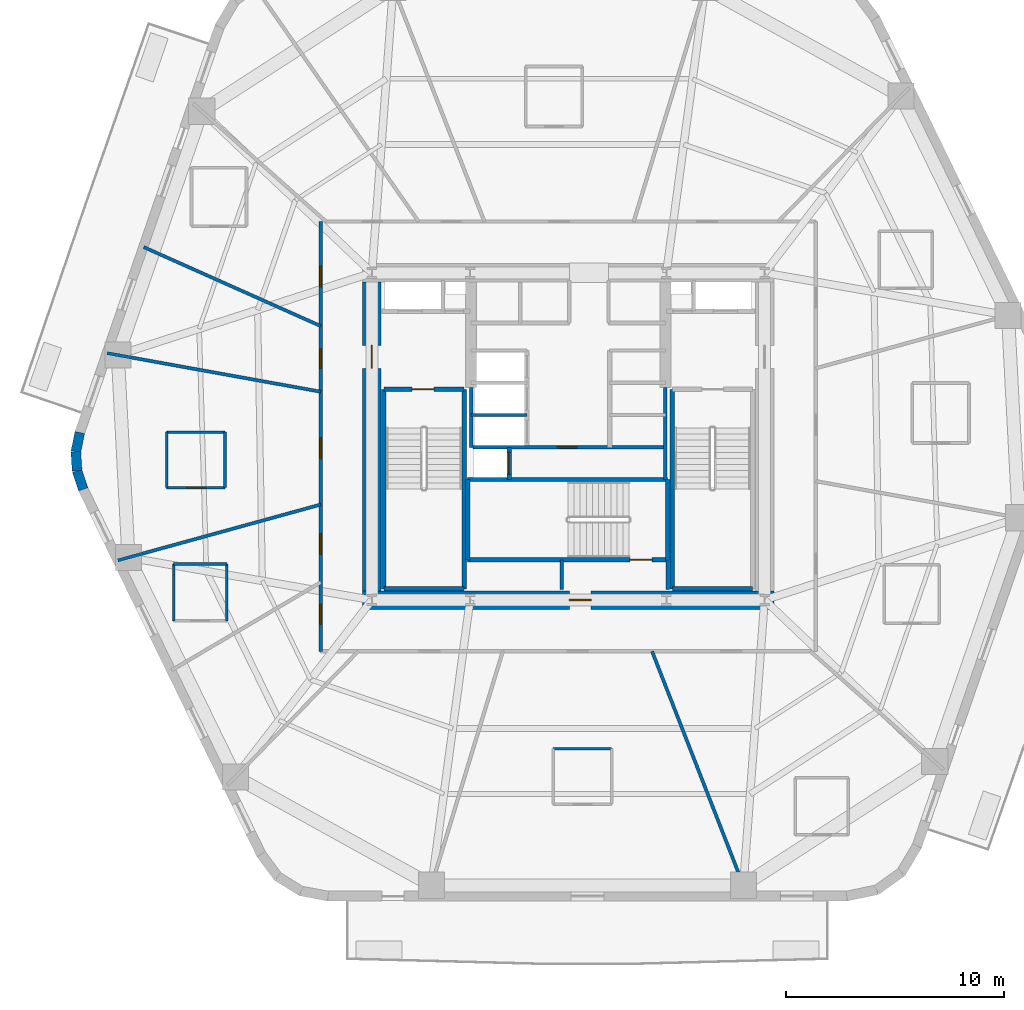
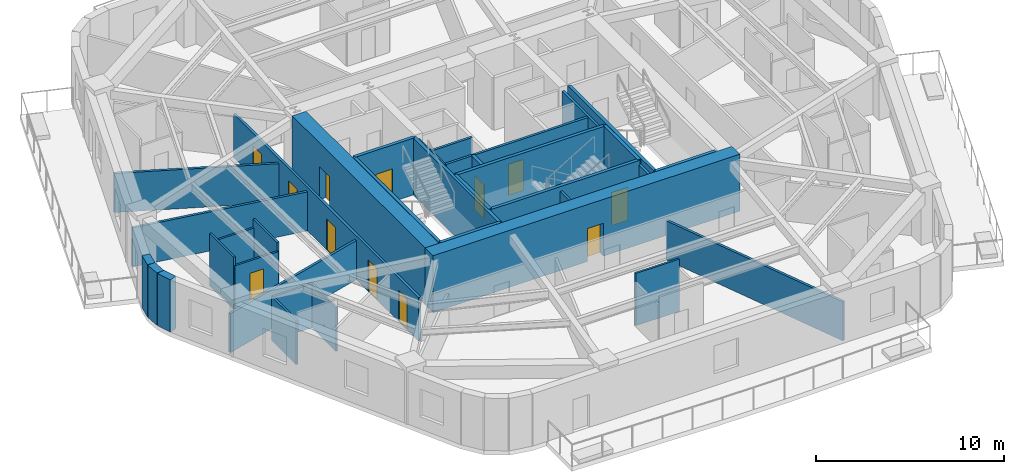
# One storey, part 3 of 8: 35 walls, 12 doors, 12 openings.
"""IFC4 building model written with IfcOpenShell, lengths in metres."""

from ifc_helpers import new_model, si_unit, direction, frame, frame_2d, origin, place, context, subcontext, project, spatial, rectangle, extrude, material, layer, layer_set, type_object, element, fill, save


model = new_model("IFC4")

# Units and contexts
model_context = context("Model", 3, precision=1e-05, world=origin(), true_north=direction((0.0, 1.0)))
body_context = subcontext(model_context, "Body", "Model", "MODEL_VIEW")
ifc_project = project(units=[si_unit("LENGTHUNIT", "METRE"), si_unit("AREAUNIT", "SQUARE_METRE"), si_unit("VOLUMEUNIT", "CUBIC_METRE"), si_unit("PLANEANGLEUNIT", "RADIAN"), si_unit("MASSUNIT", "GRAM", prefix="KILO")], contexts=[model_context])

# Site, building, storey
site_placement = place(None, origin())
site = spatial("IfcSite", under=ifc_project, at=site_placement, CompositionType="ELEMENT")
building_placement = place(site_placement, origin())
building = spatial("IfcBuilding", under=site, at=building_placement, Name="Kilnhurst Terrace Hotel", CompositionType="ELEMENT")
storey_placement = place(building_placement, frame((0.0, 0.0, 132.10009765625)))
storey = spatial("IfcBuildingStorey", under=building, at=storey_placement, Name="L32", CompositionType="ELEMENT", Elevation=132.10009765625)

# Walls
ifc_material_1 = material(Name="Precast concrete C40/50", Category="concrete")
ifc_layer_1 = layer(ifc_material_1, 0.449951171875, Name="Precast concrete C40/50")
ifc_layer_set_1 = layer_set([ifc_layer_1], Name="Precast concrete C40/50")
wall_type_1 = type_object("IfcWallType", Name="WL-BRK-450", PredefinedType="SOLIDWALL", material=ifc_layer_set_1)
wall_1_placement = place(storey_placement, frame((-22.39697265625, 0.17919921875, 0.0), z_axis=(0.0, 0.0, 1.0), x_axis=(-0.199313589404, -0.979935759669, 0.0)))
element("IfcWall", 1, at=wall_1_placement, inside=storey, type_object=wall_type_1, Name="L32 Rounded Corner Brick Wall C6.1", PredefinedType="SOLIDWALL", context=body_context, shape_type="SweptSolid", body=[
    extrude(rectangle(XDim=0.8955078125, YDim=0.449951171875, at=frame_2d((0.44775390625, 0.0))), origin(), (0.0, 0.0, 1.0), 3.39990234375),
])
wall_2_placement = place(storey_placement, frame((-22.575439453125, -0.6982421875, 0.0), z_axis=(0.0, 0.0, 1.0), x_axis=(0.060980441946, -0.998138961117, 0.0)))
element("IfcWall", 2, at=wall_2_placement, inside=storey, type_object=wall_type_1, Name="L32 Rounded Corner Brick Wall C6.2", PredefinedType="SOLIDWALL", context=body_context, shape_type="SweptSolid", body=[
    extrude(rectangle(XDim=0.880859375, YDim=0.449951171875, at=frame_2d((0.4404296875, 0.0))), origin(), (0.0, 0.0, 1.0), 3.39990234375),
])
wall_3_placement = place(storey_placement, frame((-22.521728515625, -1.577392578125, 0.0), z_axis=(0.0, 0.0, 1.0), x_axis=(0.317372694837, -0.948300887151, 0.0)))
element("IfcWall", 3, at=wall_3_placement, inside=storey, type_object=wall_type_1, Name="L32 Rounded Corner Brick Wall C6.3", PredefinedType="SOLIDWALL", context=body_context, shape_type="SweptSolid", body=[
    extrude(rectangle(XDim=0.8955078125, YDim=0.449951171875, at=frame_2d((0.44775390625, 0.0))), origin(), (0.0, 0.0, 1.0), 3.39990234375),
])

# Wall, openings, doors
ifc_material_2 = material(Name="Acoustic Double-Gypsum Corridor Partition Assembly")
ifc_layer_2 = layer(ifc_material_2, 0.14990234375, Name="Acoustic Double-Gypsum Corridor Partition Assembly")
ifc_layer_set_2 = layer_set([ifc_layer_2], Name="Acoustic Double-Gypsum Corridor Partition Assembly")
wall_type_2 = type_object("IfcWallType", Name="WL-COR-150", PredefinedType="PARTITIONING", material=ifc_layer_set_2)
wall_4_placement = place(storey_placement, frame((-11.35009765625, -9.85009765625, 0.0), z_axis=(0.0, 0.0, 1.0), x_axis=(0.0, 1.0, 0.0)))
wall_4 = element("IfcWall", 4, at=wall_4_placement, inside=storey, type_object=wall_type_2, Name="L32 Interior Wall WL-L32-COR-01", PredefinedType="PARTITIONING", context=body_context, shape_type="SweptSolid", body=[
    extrude(rectangle(XDim=19.7001953125, YDim=0.14990234375, at=frame_2d((9.85009765625, 0.0))), origin(), (0.0, 0.0, 1.0), 2.83984375),
])
opening_1_placement = place(wall_4_placement, frame((16.7109375, 0.0, 0.0)))
opening_1 = element("IfcOpeningElement", 5, at=opening_1_placement, cuts=wall_4, Name="Opening D-60B", PredefinedType="OPENING", context=body_context, shape_type="SweptSolid", body=[
    extrude(rectangle(XDim=0.949951171875, YDim=2.030029296875, at=frame_2d((0.47509765625, 1.01513671875))), frame((0.0, 0.0849609375, 0.0), z_axis=(0.0, -1.0, 0.0), x_axis=(1.0, 0.0, 0.0)), (0.0, 0.0, 1.0), 0.169921875),
])
opening_2_placement = place(wall_4_placement, frame((12.968017578125, 0.0, 0.0)))
opening_2 = element("IfcOpeningElement", 6, at=opening_2_placement, cuts=wall_4, Name="Opening D-60C", PredefinedType="OPENING", context=body_context, shape_type="SweptSolid", body=[
    extrude(rectangle(XDim=0.89990234375, YDim=2.030029296875, at=frame_2d((0.449951171875, 1.01513671875))), frame((0.0, 0.0849609375, 0.0), z_axis=(0.0, -1.0, 0.0), x_axis=(1.0, 0.0, 0.0)), (0.0, 0.0, 1.0), 0.169921875),
])
opening_3_placement = place(wall_4_placement, frame((8.8359375, 0.0, 0.0)))
opening_3 = element("IfcOpeningElement", 7, at=opening_3_placement, cuts=wall_4, Name="Opening D-60B", PredefinedType="OPENING", context=body_context, shape_type="SweptSolid", body=[
    extrude(rectangle(XDim=0.949951171875, YDim=2.030029296875, at=frame_2d((0.47509765625, 1.01513671875))), frame((0.0, 0.0849609375, 0.0), z_axis=(0.0, -1.0, 0.0), x_axis=(1.0, 0.0, 0.0)), (0.0, 0.0, 1.0), 0.169921875),
])
opening_4_placement = place(wall_4_placement, frame((4.447998046875, 0.0, 0.0)))
opening_4 = element("IfcOpeningElement", 8, at=opening_4_placement, cuts=wall_4, Name="Opening D-60B", PredefinedType="OPENING", context=body_context, shape_type="SweptSolid", body=[
    extrude(rectangle(XDim=0.949951171875, YDim=2.030029296875, at=frame_2d((0.47509765625, 1.01513671875))), frame((0.0, 0.0849609375, 0.0), z_axis=(0.0, -1.0, 0.0), x_axis=(1.0, 0.0, 0.0)), (0.0, 0.0, 1.0), 0.169921875),
])
opening_5_placement = place(wall_4_placement, frame((1.2490234375, 0.0, 0.0)))
opening_5 = element("IfcOpeningElement", 9, at=opening_5_placement, cuts=wall_4, Name="Opening D-60C", PredefinedType="OPENING", context=body_context, shape_type="SweptSolid", body=[
    extrude(rectangle(XDim=0.89990234375, YDim=2.030029296875, at=frame_2d((0.449951171875, 1.01513671875))), frame((0.0, 0.0849609375, 0.0), z_axis=(0.0, -1.0, 0.0), x_axis=(1.0, 0.0, 0.0)), (0.0, 0.0, 1.0), 0.169921875),
])
ifc_material_3 = material(Name="Painted Solid-Core Service Fire Door")
door_type_1 = type_object("IfcDoorType", Name="DR-FD60-900", OperationType="NOTDEFINED", PredefinedType="DOOR", material=ifc_material_3)
door_1_placement = place(opening_2_placement, origin())
door_1 = element("IfcDoor", 10, at=door_1_placement, inside=storey, type_object=door_type_1, Name="L32 Botanical Reading Lounge Door 7", OperationType="SINGLE_SWING_LEFT", OverallHeight=2.030029296875, OverallWidth=0.89990234375, PredefinedType="DOOR", context=body_context, shape_type="SweptSolid", body=[
    extrude(rectangle(XDim=0.89990234375, YDim=2.030029296875, at=frame_2d((0.449951171875, 1.01513671875))), frame((0.0, 0.02490234375, 0.0), z_axis=(0.0, -1.0, 0.0), x_axis=(1.0, 0.0, 0.0)), (0.0, 0.0, 1.0), 0.050048828125),
])
fill(opening_2, door_1)
door_2_placement = place(opening_5_placement, origin())
door_2 = element("IfcDoor", 11, at=door_2_placement, inside=storey, type_object=door_type_1, Name="L32 Private Meeting Salon Door 10", OperationType="SINGLE_SWING_RIGHT", OverallHeight=2.030029296875, OverallWidth=0.89990234375, PredefinedType="DOOR", context=body_context, shape_type="SweptSolid", body=[
    extrude(rectangle(XDim=0.89990234375, YDim=2.030029296875, at=frame_2d((0.449951171875, 1.01513671875))), frame((0.0, 0.02490234375, 0.0), z_axis=(0.0, -1.0, 0.0), x_axis=(1.0, 0.0, 0.0)), (0.0, 0.0, 1.0), 0.050048828125),
])
fill(opening_5, door_2)
ifc_material_4 = material(Name="Acoustic Walnut Veneer Solid-Core Fire Door")
door_type_2 = type_object("IfcDoorType", Name="DR-FD60-950", OperationType="NOTDEFINED", PredefinedType="DOOR", material=ifc_material_4)
door_3_placement = place(opening_1_placement, origin())
door_3 = element("IfcDoor", 12, at=door_3_placement, inside=storey, type_object=door_type_2, Name="L32 Guest Room Entry Door 6", OperationType="SINGLE_SWING_RIGHT", OverallHeight=2.030029296875, OverallWidth=0.949951171875, PredefinedType="DOOR", context=body_context, shape_type="SweptSolid", body=[
    extrude(rectangle(XDim=0.949951171875, YDim=2.030029296875, at=frame_2d((0.47509765625, 1.01513671875))), frame((0.0, 0.02490234375, 0.0), z_axis=(0.0, -1.0, 0.0), x_axis=(1.0, 0.0, 0.0)), (0.0, 0.0, 1.0), 0.050048828125),
])
fill(opening_1, door_3)
door_4_placement = place(opening_3_placement, origin())
door_4 = element("IfcDoor", 13, at=door_4_placement, inside=storey, type_object=door_type_2, Name="L32 Executive Suite Entry Door 8", OperationType="SINGLE_SWING_RIGHT", OverallHeight=2.030029296875, OverallWidth=0.949951171875, PredefinedType="DOOR", context=body_context, shape_type="SweptSolid", body=[
    extrude(rectangle(XDim=0.949951171875, YDim=2.030029296875, at=frame_2d((0.47509765625, 1.01513671875))), frame((0.0, 0.02490234375, 0.0), z_axis=(0.0, -1.0, 0.0), x_axis=(1.0, 0.0, 0.0)), (0.0, 0.0, 1.0), 0.050048828125),
])
fill(opening_3, door_4)
door_5_placement = place(opening_4_placement, origin())
door_5 = element("IfcDoor", 14, at=door_5_placement, inside=storey, type_object=door_type_2, Name="L32 Guest Room Entry Door 9", OperationType="SINGLE_SWING_LEFT", OverallHeight=2.030029296875, OverallWidth=0.949951171875, PredefinedType="DOOR", context=body_context, shape_type="SweptSolid", body=[
    extrude(rectangle(XDim=0.949951171875, YDim=2.030029296875, at=frame_2d((0.47509765625, 1.01513671875))), frame((0.0, 0.02490234375, 0.0), z_axis=(0.0, -1.0, 0.0), x_axis=(1.0, 0.0, 0.0)), (0.0, 0.0, 1.0), 0.050048828125),
])
fill(opening_4, door_5)

# Wall, opening, door
ifc_material_5 = material(Name="Concrete C80/95", Category="concrete")
ifc_layer_3 = layer(ifc_material_5, 0.85009765625, Name="Concrete C80/95")
ifc_layer_set_3 = layer_set([ifc_layer_3], Name="Concrete C80/95")
wall_type_3 = type_object("IfcWallType", Name="WL-CORE-850", PredefinedType="SHEAR", material=ifc_layer_set_3)
wall_5_placement = place(storey_placement, frame((-9.425048828125, -7.5, 0.0), z_axis=(0.0, 0.0, 1.0), x_axis=(1.0, 0.0, 0.0)))
wall_5 = element("IfcWall", 15, at=wall_5_placement, inside=storey, type_object=wall_type_3, Name="L32 Core South Shear Wall", PredefinedType="SHEAR", context=body_context, shape_type="SweptSolid", body=[
    extrude(rectangle(XDim=18.85009765625, YDim=0.85009765625, at=frame_2d((9.425048828125, 0.0))), origin(), (0.0, 0.0, 1.0), 3.699951171875),
])
opening_6_placement = place(wall_5_placement, frame((9.47509765625, 0.0, 0.0)))
opening_6 = element("IfcOpeningElement", 16, at=opening_6_placement, cuts=wall_5, Name="Opening D-90B", PredefinedType="OPENING", context=body_context, shape_type="SweptSolid", body=[
    extrude(rectangle(XDim=1.0, YDim=2.14990234375, at=frame_2d((0.5, 1.074951171875))), frame((0.0, 0.43505859375, 0.0), z_axis=(0.0, -1.0, 0.0), x_axis=(1.0, 0.0, 0.0)), (0.0, 0.0, 1.0), 0.8701171875),
])
ifc_material_6 = material(Name="Painted Hollow Metal Steel ASTM A36 Fire Door", Category="steel")
door_type_3 = type_object("IfcDoorType", Name="DR-FD90-1000", OperationType="NOTDEFINED", PredefinedType="DOOR", material=ifc_material_6)
door_6_placement = place(opening_6_placement, origin())
door_6 = element("IfcDoor", 17, at=door_6_placement, inside=storey, type_object=door_type_3, Name="L32 Stair ST-3 Corridor Door", OperationType="SINGLE_SWING_RIGHT", OverallHeight=2.14990234375, OverallWidth=1.0, PredefinedType="DOOR", context=body_context, shape_type="SweptSolid", body=[
    extrude(rectangle(XDim=1.0, YDim=2.14990234375, at=frame_2d((0.5, 1.074951171875))), frame((0.0, 0.02490234375, 0.0), z_axis=(0.0, -1.0, 0.0), x_axis=(1.0, 0.0, 0.0)), (0.0, 0.0, 1.0), 0.050048828125),
])
fill(opening_6, door_6)

wall_6_placement = place(storey_placement, frame((-9.0, -7.074951171875, 0.0), z_axis=(0.0, 0.0, 1.0), x_axis=(0.0, 1.0, 0.0)))
wall_6 = element("IfcWall", 18, at=wall_6_placement, inside=storey, type_object=wall_type_3, Name="L32 Core West Shear Wall", PredefinedType="SHEAR", context=body_context, shape_type="SweptSolid", body=[
    extrude(rectangle(XDim=14.14990234375, YDim=0.85009765625, at=frame_2d((7.074951171875, 0.0))), origin(), (0.0, 0.0, 1.0), 3.699951171875),
])
opening_7_placement = place(wall_6_placement, frame((10.199951171875, 0.0, 0.0)))
opening_7 = element("IfcOpeningElement", 19, at=opening_7_placement, cuts=wall_6, Name="Opening D-90A", PredefinedType="OPENING", context=body_context, shape_type="SweptSolid", body=[
    extrude(rectangle(XDim=1.050048828125, YDim=2.14990234375, at=frame_2d((0.52490234375, 1.074951171875))), frame((0.0, 0.43505859375, 0.0), z_axis=(0.0, -1.0, 0.0), x_axis=(1.0, 0.0, 0.0)), (0.0, 0.0, 1.0), 0.8701171875),
])
door_type_4 = type_object("IfcDoorType", Name="DR-FD90-1050", OperationType="NOTDEFINED", PredefinedType="DOOR", material=ifc_material_6)
door_7_placement = place(opening_7_placement, origin())
door_7 = element("IfcDoor", 20, at=door_7_placement, inside=storey, type_object=door_type_4, Name="L32 West Firefighting Lobby Door", OperationType="SINGLE_SWING_RIGHT", OverallHeight=2.14990234375, OverallWidth=1.050048828125, PredefinedType="DOOR", context=body_context, shape_type="SweptSolid", body=[
    extrude(rectangle(XDim=1.050048828125, YDim=2.14990234375, at=frame_2d((0.52490234375, 1.074951171875))), frame((0.0, 0.02490234375, 0.0), z_axis=(0.0, -1.0, 0.0), x_axis=(1.0, 0.0, 0.0)), (0.0, 0.0, 1.0), 0.050048828125),
])
fill(opening_7, door_7)

# Walls
ifc_material_7 = material(Name="STC-58 Acoustic Twin-Frame Guestroom Demising Partition")
ifc_layer_4 = layer(ifc_material_7, 0.14990234375, Name="STC-58 Acoustic Twin-Frame Guestroom Demising Partition")
ifc_layer_set_4 = layer_set([ifc_layer_4], Name="STC-58 Acoustic Twin-Frame Guestroom Demising Partition")
wall_type_4 = type_object("IfcWallType", Name="WL-DEM-150", PredefinedType="PARTITIONING", material=ifc_layer_set_4)
wall_7_placement = place(storey_placement, frame((-11.35009765625, 5.061767578125, 0.0), z_axis=(0.0, 0.0, 1.0), x_axis=(-0.91329663997, 0.407295037312, 0.0)))
element("IfcWall", 21, at=wall_7_placement, inside=storey, type_object=wall_type_4, Name="L32 Interior Wall WL-L32-DEM-MID05-07-1", PredefinedType="PARTITIONING", context=body_context, shape_type="SweptSolid", body=[
    extrude(rectangle(XDim=8.889404296875, YDim=0.14990234375, at=frame_2d((4.44482421875, 0.0))), origin(), (0.0, 0.0, 1.0), 2.539794921875),
])
wall_8_placement = place(storey_placement, frame((-11.35009765625, 2.05078125, 0.0), z_axis=(0.0, 0.0, 1.0), x_axis=(-0.984068313063, 0.177790762484, 0.0)))
element("IfcWall", 22, at=wall_8_placement, inside=storey, type_object=wall_type_4, Name="L32 Interior Wall WL-L32-DEM-COL06-08-1", PredefinedType="PARTITIONING", context=body_context, shape_type="SweptSolid", body=[
    extrude(rectangle(XDim=9.951416015625, YDim=0.14990234375, at=frame_2d((4.9755859375, 0.0))), origin(), (0.0, 0.0, 1.0), 2.539794921875),
])
wall_9_placement = place(storey_placement, frame((-11.35009765625, -3.123291015625, 0.0), z_axis=(0.0, 0.0, 1.0), x_axis=(-0.964151983214, -0.265350623261, 0.0)))
element("IfcWall", 23, at=wall_9_placement, inside=storey, type_object=wall_type_4, Name="L32 Interior Wall WL-L32-DEM-COL07-09-1", PredefinedType="PARTITIONING", context=body_context, shape_type="SweptSolid", body=[
    extrude(rectangle(XDim=9.64501953125, YDim=0.14990234375, at=frame_2d((4.822509765625, 0.0))), origin(), (0.0, 0.0, 1.0), 2.539794921875),
])
wall_10_placement = place(storey_placement, frame((3.84228515625, -9.85009765625, 0.0), z_axis=(0.0, 0.0, 1.0), x_axis=(0.363432685593, -0.931620460833, 0.0)))
element("IfcWall", 24, at=wall_10_placement, inside=storey, type_object=wall_type_4, Name="L32 Interior Wall WL-L32-DEM-COL10-13-1", PredefinedType="PARTITIONING", context=body_context, shape_type="SweptSolid", body=[
    extrude(rectangle(XDim=12.048828125, YDim=0.14990234375, at=frame_2d((6.0244140625, 0.0))), origin(), (0.0, 0.0, 1.0), 2.539794921875),
])

# Wall, opening, door
ifc_material_8 = material(Name="120 mm Moisture-Resistant Tile-Backed Bathroom Partition")
ifc_layer_5 = layer(ifc_material_8, 0.1201171875, Name="120 mm Moisture-Resistant Tile-Backed Bathroom Partition")
ifc_layer_set_5 = layer_set([ifc_layer_5], Name="120 mm Moisture-Resistant Tile-Backed Bathroom Partition")
wall_type_5 = type_object("IfcWallType", Name="WL-PART-120", PredefinedType="PARTITIONING", material=ifc_layer_set_5)
wall_11_placement = place(storey_placement, frame((-18.4150390625, -2.343994140625, 0.0), z_axis=(0.0, 0.0, 1.0), x_axis=(1.0, 0.0, 0.0)))
wall_11 = element("IfcWall", 25, at=wall_11_placement, inside=storey, type_object=wall_type_5, Name="L32 Interior Wall WL-L32-BTH-08-1", PredefinedType="PARTITIONING", context=body_context, shape_type="SweptSolid", body=[
    extrude(rectangle(XDim=2.679931640625, YDim=0.1201171875, at=frame_2d((1.33984375, 0.0))), origin(), (0.0, 0.0, 1.0), 2.84033203125),
])
opening_8_placement = place(wall_11_placement, frame((0.9150390625, 0.0, 0.0)))
opening_8 = element("IfcOpeningElement", 26, at=opening_8_placement, cuts=wall_11, Name="Opening D-08A", PredefinedType="OPENING", context=body_context, shape_type="SweptSolid", body=[
    extrude(rectangle(XDim=0.85009765625, YDim=2.030029296875, at=frame_2d((0.425048828125, 1.01513671875))), frame((0.0, 0.070068359375, 0.0), z_axis=(0.0, -1.0, 0.0), x_axis=(1.0, 0.0, 0.0)), (0.0, 0.0, 1.0), 0.14013671875),
])
ifc_material_9 = material(Name="Moisture-Resistant Lacquered En-suite Bathroom Door")
door_type_5 = type_object("IfcDoorType", Name="DR-INT-850", OperationType="NOTDEFINED", PredefinedType="DOOR", material=ifc_material_9)
door_8_placement = place(opening_8_placement, origin())
door_8 = element("IfcDoor", 27, at=door_8_placement, inside=storey, type_object=door_type_5, Name="L32 En-suite Bathroom Door 8", OperationType="SINGLE_SWING_LEFT", OverallHeight=2.030029296875, OverallWidth=0.85009765625, PredefinedType="DOOR", context=body_context, shape_type="SweptSolid", body=[
    extrude(rectangle(XDim=0.85009765625, YDim=2.030029296875, at=frame_2d((0.425048828125, 1.01513671875))), frame((0.0, 0.02490234375, 0.0), z_axis=(0.0, -1.0, 0.0), x_axis=(1.0, 0.0, 0.0)), (0.0, 0.0, 1.0), 0.050048828125),
])
fill(opening_8, door_8)

# Walls
wall_12_placement = place(storey_placement, frame((-15.735107421875, -2.343994140625, 0.0), z_axis=(0.0, 0.0, 1.0), x_axis=(0.0, 1.0, 0.0)))
element("IfcWall", 28, at=wall_12_placement, inside=storey, type_object=wall_type_5, Name="L32 Interior Wall WL-L32-BTH-08-2", PredefinedType="PARTITIONING", context=body_context, shape_type="SweptSolid", body=[
    extrude(rectangle(XDim=2.5400390625, YDim=0.1201171875, at=frame_2d((1.27001953125, 0.0))), origin(), (0.0, 0.0, 1.0), 3.39990234375),
])
wall_13_placement = place(storey_placement, frame((-15.735107421875, 0.196044921875, 0.0), z_axis=(0.0, 0.0, 1.0), x_axis=(-1.0, 0.0, 0.0)))
element("IfcWall", 29, at=wall_13_placement, inside=storey, type_object=wall_type_5, Name="L32 Interior Wall WL-L32-BTH-08-3", PredefinedType="PARTITIONING", context=body_context, shape_type="SweptSolid", body=[
    extrude(rectangle(XDim=2.679931640625, YDim=0.1201171875, at=frame_2d((1.33984375, 0.0))), origin(), (0.0, 0.0, 1.0), 2.84033203125),
])
wall_14_placement = place(storey_placement, frame((-18.4150390625, 0.196044921875, 0.0), z_axis=(0.0, 0.0, 1.0), x_axis=(0.0, -1.0, 0.0)))
element("IfcWall", 30, at=wall_14_placement, inside=storey, type_object=wall_type_5, Name="L32 Interior Wall WL-L32-BTH-08-4", PredefinedType="PARTITIONING", context=body_context, shape_type="SweptSolid", body=[
    extrude(rectangle(XDim=2.5400390625, YDim=0.1201171875, at=frame_2d((1.27001953125, 0.0))), origin(), (0.0, 0.0, 1.0), 3.39990234375),
])
wall_15_placement = place(storey_placement, frame((-15.654052734375, -8.4560546875, 0.0), z_axis=(0.0, 0.0, 1.0), x_axis=(0.0, 1.0, 0.0)))
element("IfcWall", 31, at=wall_15_placement, inside=storey, type_object=wall_type_5, Name="L32 Interior Wall WL-L32-BTH-09-2", PredefinedType="PARTITIONING", context=body_context, shape_type="SweptSolid", body=[
    extrude(rectangle(XDim=2.610107421875, YDim=0.1201171875, at=frame_2d((1.30517578125, 0.0))), origin(), (0.0, 0.0, 1.0), 2.83984375),
])
wall_16_placement = place(storey_placement, frame((-15.654052734375, -5.845947265625, 0.0), z_axis=(0.0, 0.0, 1.0), x_axis=(-1.0, 0.0, 0.0)))
element("IfcWall", 32, at=wall_16_placement, inside=storey, type_object=wall_type_5, Name="L32 Interior Wall WL-L32-BTH-09-3", PredefinedType="PARTITIONING", context=body_context, shape_type="SweptSolid", body=[
    extrude(rectangle(XDim=2.43994140625, YDim=0.1201171875, at=frame_2d((1.219970703125, 0.0))), origin(), (0.0, 0.0, 1.0), 2.83984375),
])
wall_17_placement = place(storey_placement, frame((-18.093994140625, -5.845947265625, 0.0), z_axis=(0.0, 0.0, 1.0), x_axis=(0.0, -1.0, 0.0)))
element("IfcWall", 33, at=wall_17_placement, inside=storey, type_object=wall_type_5, Name="L32 Interior Wall WL-L32-BTH-09-4", PredefinedType="PARTITIONING", context=body_context, shape_type="SweptSolid", body=[
    extrude(rectangle(XDim=2.610107421875, YDim=0.1201171875, at=frame_2d((1.30517578125, 0.0))), origin(), (0.0, 0.0, 1.0), 2.83984375),
])
wall_18_placement = place(storey_placement, frame((1.991943359375, -14.31689453125, 0.0), z_axis=(0.0, 0.0, 1.0), x_axis=(-1.0, 0.0, 0.0)))
element("IfcWall", 34, at=wall_18_placement, inside=storey, type_object=wall_type_5, Name="L32 Interior Wall WL-L32-BTH-12-3", PredefinedType="PARTITIONING", context=body_context, shape_type="SweptSolid", body=[
    extrude(rectangle(XDim=2.679931640625, YDim=0.1201171875, at=frame_2d((1.33984375, 0.0))), origin(), (0.0, 0.0, 1.0), 3.39990234375),
])
ifc_material_10 = material(Name="Fire-Rated Gypsum Shaftliner Assembly")
ifc_layer_6 = layer(ifc_material_10, 0.14990234375, Name="Fire-Rated Gypsum Shaftliner Assembly")
ifc_layer_set_6 = layer_set([ifc_layer_6], Name="Fire-Rated Gypsum Shaftliner Assembly")
wall_type_6 = type_object("IfcWallType", Name="WL-SHAFT-150", PredefinedType="PARTITIONING", material=ifc_layer_set_6)
for number, where, z_axis, x_axis, name in (
    (35, (-0.300048828125, -7.02001953125, 0.0), (0.0, 0.0, 1.0), (0.0, 1.0, 0.0), "L32 Interior Wall WL-L32-ST3-PSGW"),
    (36, (4.55810546875, -7.02001953125, 0.0), (0.0, 0.0, 1.0), (0.0, 1.0, 0.0), "L32 Interior Wall WL-L32-ST3-PSGE"),
):
    element("IfcWall", number, at=place(storey_placement, frame(where, z_axis=z_axis, x_axis=x_axis)), inside=storey, type_object=wall_type_6, Name=name, PredefinedType="PARTITIONING", context=body_context, shape_type="SweptSolid", body=[
        extrude(rectangle(XDim=1.362060546875, YDim=0.14990234375, at=frame_2d((0.68115234375, 0.0))), origin(), (0.0, 0.0, 1.0), 3.39990234375),
    ])
wall_19_placement = place(storey_placement, frame((-4.449951171875, -0.5, 0.0), z_axis=(0.0, 0.0, 1.0), x_axis=(0.0, 1.0, 0.0)))
element("IfcWall", 37, at=wall_19_placement, inside=storey, type_object=wall_type_6, Name="L32 Interior Wall WL-L32-XLOB-W", PredefinedType="PARTITIONING", context=body_context, shape_type="SweptSolid", body=[
    extrude(rectangle(XDim=2.75, YDim=0.14990234375, at=frame_2d((1.375, 0.0))), origin(), (0.0, 0.0, 1.0), 3.39990234375),
])
wall_20_placement = place(storey_placement, frame((4.449951171875, -1.971923828125, 0.0), z_axis=(0.0, 0.0, 1.0), x_axis=(0.0, 1.0, 0.0)))
element("IfcWall", 38, at=wall_20_placement, inside=storey, type_object=wall_type_6, Name="L32 Interior Wall WL-L32-XLOB-E", PredefinedType="PARTITIONING", context=body_context, shape_type="SweptSolid", body=[
    extrude(rectangle(XDim=4.221923828125, YDim=0.14990234375, at=frame_2d((2.11083984375, 0.0))), origin(), (0.0, 0.0, 1.0), 3.39990234375),
])
wall_21_placement = place(storey_placement, frame((-4.449951171875, 0.97998046875, 0.0), z_axis=(0.0, 0.0, 1.0), x_axis=(1.0, 0.0, 0.0)))
element("IfcWall", 39, at=wall_21_placement, inside=storey, type_object=wall_type_6, Name="L32 Interior Wall WL-L32-LR-D1", PredefinedType="PARTITIONING", context=body_context, shape_type="SweptSolid", body=[
    extrude(rectangle(XDim=2.550048828125, YDim=0.14990234375, at=frame_2d((1.27490234375, 0.0))), origin(), (0.0, 0.0, 1.0), 3.39990234375),
])

# Wall, opening, door
wall_22_placement = place(storey_placement, frame((-4.360107421875, -0.489990234375, 0.0), z_axis=(0.0, 0.0, 1.0), x_axis=(1.0, 0.0, 0.0)))
wall_22 = element("IfcWall", 40, at=wall_22_placement, inside=storey, type_object=wall_type_6, Name="L32 Interior Wall WL-L32-BOH-N", PredefinedType="PARTITIONING", context=body_context, shape_type="SweptSolid", body=[
    extrude(rectangle(XDim=8.72021484375, YDim=0.14990234375, at=frame_2d((4.360107421875, 0.0))), origin(), (0.0, 0.0, 1.0), 3.39990234375),
])
opening_9_placement = place(wall_22_placement, frame((3.860107421875, 0.0, 0.0)))
opening_9 = element("IfcOpeningElement", 41, at=opening_9_placement, cuts=wall_22, Name="Opening D-60C", PredefinedType="OPENING", context=body_context, shape_type="SweptSolid", body=[
    extrude(rectangle(XDim=0.89990234375, YDim=2.030029296875, at=frame_2d((0.449951171875, 1.01513671875))), frame((0.0, 0.0849609375, 0.0), z_axis=(0.0, -1.0, 0.0), x_axis=(1.0, 0.0, 0.0)), (0.0, 0.0, 1.0), 0.169921875),
])
door_9_placement = place(opening_9_placement, origin())
door_9 = element("IfcDoor", 42, at=door_9_placement, inside=storey, type_object=door_type_1, Name="L32 Housekeeping Laundry Door", OperationType="SINGLE_SWING_LEFT", OverallHeight=2.030029296875, OverallWidth=0.89990234375, PredefinedType="DOOR", context=body_context, shape_type="SweptSolid", body=[
    extrude(rectangle(XDim=0.89990234375, YDim=2.030029296875, at=frame_2d((0.449951171875, 1.01513671875))), frame((0.0, 0.02490234375, 0.0), z_axis=(0.0, -1.0, 0.0), x_axis=(1.0, 0.0, 0.0)), (0.0, 0.0, 1.0), 0.050048828125),
])
fill(opening_9, door_9)

ifc_material_11 = material(Name="Autoclaved Aerated Concrete C30/37 and Gypsum Shaft Assembly", Category="concrete")
ifc_layer_7 = layer(ifc_material_11, 0.199951171875, Name="Autoclaved Aerated Concrete C30/37 and Gypsum Shaft Assembly")
ifc_layer_set_7 = layer_set([ifc_layer_7], Name="Autoclaved Aerated Concrete C30/37 and Gypsum Shaft Assembly")
wall_type_7 = type_object("IfcWallType", Name="WL-SHAFT-200", PredefinedType="PARTITIONING", material=ifc_layer_set_7)
wall_23_placement = place(storey_placement, frame((-2.699951171875, -1.971923828125, 0.0), z_axis=(0.0, 0.0, 1.0), x_axis=(0.0, 1.0, 0.0)))
wall_23 = element("IfcWall", 43, at=wall_23_placement, inside=storey, type_object=wall_type_7, Name="L32 Interior Wall WL-L32-SRV1-E", PredefinedType="PARTITIONING", context=body_context, shape_type="SweptSolid", body=[
    extrude(rectangle(XDim=1.471923828125, YDim=0.199951171875, at=frame_2d((0.73583984375, 0.0))), origin(), (0.0, 0.0, 1.0), 3.39990234375),
])
opening_10_placement = place(wall_23_placement, frame((0.239990234375, 0.0, 0.0)))
opening_10 = element("IfcOpeningElement", 44, at=opening_10_placement, cuts=wall_23, Name="Opening LD-SV", PredefinedType="OPENING", context=body_context, shape_type="SweptSolid", body=[
    extrude(rectangle(XDim=1.0, YDim=2.199951171875, at=frame_2d((0.5, 1.10009765625))), frame((0.0, 0.10986328125, 0.0), z_axis=(0.0, -1.0, 0.0), x_axis=(1.0, 0.0, 0.0)), (0.0, 0.0, 1.0), 0.219970703125),
])
ifc_material_12 = material(Name="Bronze-Anodized Stainless Steel AISI 316L Sliding Door", Category="steel")
door_type_6 = type_object("IfcDoorType", Name="DR-LIFT-1000", OperationType="NOTDEFINED", PredefinedType="DOOR", material=ifc_material_12)
door_10_placement = place(opening_10_placement, origin())
door_10 = element("IfcDoor", 45, at=door_10_placement, inside=storey, type_object=door_type_6, Name="L32 Service Lift SRV-1 Landing Door", OperationType="SLIDING_TO_LEFT", OverallHeight=2.199951171875, OverallWidth=1.0, PredefinedType="DOOR", context=body_context, shape_type="SweptSolid", body=[
    extrude(rectangle(XDim=1.0, YDim=2.199951171875, at=frame_2d((0.5, 1.10009765625))), frame((0.0, 0.02490234375, 0.0), z_axis=(0.0, -1.0, 0.0), x_axis=(1.0, 0.0, 0.0)), (0.0, 0.0, 1.0), 0.050048828125),
])
fill(opening_10, door_10)

# Walls
ifc_material_13 = material(Name="Concrete C50/60", Category="concrete")
ifc_layer_8 = layer(ifc_material_13, 0.199951171875, Name="Concrete C50/60")
ifc_layer_set_8 = layer_set([ifc_layer_8], Name="Concrete C50/60")
wall_type_8 = type_object("IfcWallType", Name="WL-STAIR-RC-200", PredefinedType="SHEAR", material=ifc_layer_set_8)
for number, where, z_axis, x_axis, name in (
    (46, (-8.4580078125, -6.985107421875, 0.0), (0.0, 0.0, 1.0), (0.0, 1.0, 0.0), "L32 Structural Stair Shaft Wall WL-L32-ST1-W"),
    (47, (-4.77197265625, -6.985107421875, 0.0), (0.0, 0.0, 1.0), (0.0, 1.0, 0.0), "L32 Structural Stair Shaft Wall WL-L32-ST1-E"),
):
    element("IfcWall", number, at=place(storey_placement, frame(where, z_axis=z_axis, x_axis=x_axis)), inside=storey, type_object=wall_type_8, Name=name, PredefinedType="SHEAR", context=body_context, shape_type="SweptSolid", body=[
        extrude(rectangle(XDim=9.14306640625, YDim=0.199951171875, at=frame_2d((4.571533203125, 0.0))), origin(), (0.0, 0.0, 1.0), 3.699951171875),
    ])
wall_24_placement = place(storey_placement, frame((-8.4580078125, -6.985107421875, 0.0), z_axis=(0.0, 0.0, 1.0), x_axis=(1.0, 0.0, 0.0)))
element("IfcWall", 48, at=wall_24_placement, inside=storey, type_object=wall_type_8, Name="L32 Structural Stair Shaft Wall WL-L32-ST1-S", PredefinedType="SHEAR", context=body_context, shape_type="SweptSolid", body=[
    extrude(rectangle(XDim=3.68603515625, YDim=0.199951171875, at=frame_2d((1.843017578125, 0.0))), origin(), (0.0, 0.0, 1.0), 3.699951171875),
])

# Wall, opening, door
wall_25_placement = place(storey_placement, frame((-8.4580078125, 2.157958984375, 0.0), z_axis=(0.0, 0.0, 1.0), x_axis=(1.0, 0.0, 0.0)))
wall_25 = element("IfcWall", 49, at=wall_25_placement, inside=storey, type_object=wall_type_8, Name="L32 Structural Stair Shaft Wall WL-L32-ST1-N", PredefinedType="SHEAR", context=body_context, shape_type="SweptSolid", body=[
    extrude(rectangle(XDim=3.68603515625, YDim=0.199951171875, at=frame_2d((1.843017578125, 0.0))), origin(), (0.0, 0.0, 1.0), 3.699951171875),
])
opening_11_placement = place(wall_25_placement, frame((1.300048828125, 0.0, 0.0)))
opening_11 = element("IfcOpeningElement", 50, at=opening_11_placement, cuts=wall_25, Name="Opening D-90B", PredefinedType="OPENING", context=body_context, shape_type="SweptSolid", body=[
    extrude(rectangle(XDim=1.0, YDim=2.14990234375, at=frame_2d((0.5, 1.074951171875))), frame((0.0, 0.10986328125, 0.0), z_axis=(0.0, -1.0, 0.0), x_axis=(1.0, 0.0, 0.0)), (0.0, 0.0, 1.0), 0.219970703125),
])
door_11_placement = place(opening_11_placement, origin())
door_11 = element("IfcDoor", 51, at=door_11_placement, inside=storey, type_object=door_type_3, Name="L32 Stair ST-1 Door", OperationType="SINGLE_SWING_LEFT", OverallHeight=2.14990234375, OverallWidth=1.0, PredefinedType="DOOR", context=body_context, shape_type="SweptSolid", body=[
    extrude(rectangle(XDim=1.0, YDim=2.14990234375, at=frame_2d((0.5, 1.074951171875))), frame((0.0, 0.02490234375, 0.0), z_axis=(0.0, -1.0, 0.0), x_axis=(1.0, 0.0, 0.0)), (0.0, 0.0, 1.0), 0.050048828125),
])
fill(opening_11, door_11)

# Walls
wall_26_placement = place(storey_placement, frame((4.77197265625, -6.985107421875, 0.0), z_axis=(0.0, 0.0, 1.0), x_axis=(0.0, 1.0, 0.0)))
element("IfcWall", 52, at=wall_26_placement, inside=storey, type_object=wall_type_8, Name="L32 Structural Stair Shaft Wall WL-L32-ST2-W", PredefinedType="SHEAR", context=body_context, shape_type="SweptSolid", body=[
    extrude(rectangle(XDim=9.14306640625, YDim=0.199951171875, at=frame_2d((4.571533203125, 0.0))), origin(), (0.0, 0.0, 1.0), 3.699951171875),
])
for number, where, z_axis, x_axis, name in (
    (53, (4.77197265625, -6.985107421875, 0.0), (0.0, 0.0, 1.0), (1.0, 0.0, 0.0), "L32 Structural Stair Shaft Wall WL-L32-ST2-S"),
    (54, (-4.60791015625, -5.657958984375, 0.0), (0.0, 0.0, 1.0), (0.0, 1.0, 0.0), "L32 Structural Stair Shaft Wall WL-L32-ST3-W"),
):
    element("IfcWall", number, at=place(storey_placement, frame(where, z_axis=z_axis, x_axis=x_axis)), inside=storey, type_object=wall_type_8, Name=name, PredefinedType="SHEAR", context=body_context, shape_type="SweptSolid", body=[
        extrude(rectangle(XDim=3.68603515625, YDim=0.199951171875, at=frame_2d((1.843017578125, 0.0))), origin(), (0.0, 0.0, 1.0), 3.699951171875),
    ])

# Wall, opening, door
wall_27_placement = place(storey_placement, frame((-4.60791015625, -5.657958984375, 0.0), z_axis=(0.0, 0.0, 1.0), x_axis=(1.0, 0.0, 0.0)))
wall_27 = element("IfcWall", 55, at=wall_27_placement, inside=storey, type_object=wall_type_8, Name="L32 Structural Stair Shaft Wall WL-L32-ST3-S", PredefinedType="SHEAR", context=body_context, shape_type="SweptSolid", body=[
    extrude(rectangle(XDim=9.166015625, YDim=0.199951171875, at=frame_2d((4.5830078125, 0.0))), origin(), (0.0, 0.0, 1.0), 3.699951171875),
])
opening_12_placement = place(wall_27_placement, frame((7.449951171875, 0.0, 0.0)))
opening_12 = element("IfcOpeningElement", 56, at=opening_12_placement, cuts=wall_27, Name="Opening D-90B", PredefinedType="OPENING", context=body_context, shape_type="SweptSolid", body=[
    extrude(rectangle(XDim=1.0, YDim=2.14990234375, at=frame_2d((0.5, 1.074951171875))), frame((0.0, 0.10986328125, 0.0), z_axis=(0.0, -1.0, 0.0), x_axis=(1.0, 0.0, 0.0)), (0.0, 0.0, 1.0), 0.219970703125),
])
door_12_placement = place(opening_12_placement, origin())
door_12 = element("IfcDoor", 57, at=door_12_placement, inside=storey, type_object=door_type_3, Name="L32 Stair ST-3 Shaft Door", OperationType="SINGLE_SWING_LEFT", OverallHeight=2.14990234375, OverallWidth=1.0, PredefinedType="DOOR", context=body_context, shape_type="SweptSolid", body=[
    extrude(rectangle(XDim=1.0, YDim=2.14990234375, at=frame_2d((0.5, 1.074951171875))), frame((0.0, 0.02490234375, 0.0), z_axis=(0.0, -1.0, 0.0), x_axis=(1.0, 0.0, 0.0)), (0.0, 0.0, 1.0), 0.050048828125),
])
fill(opening_12, door_12)

# Walls
wall_28_placement = place(storey_placement, frame((-4.60791015625, -1.971923828125, 0.0), z_axis=(0.0, 0.0, 1.0), x_axis=(1.0, 0.0, 0.0)))
element("IfcWall", 58, at=wall_28_placement, inside=storey, type_object=wall_type_8, Name="L32 Structural Stair Shaft Wall WL-L32-ST3-N", PredefinedType="SHEAR", context=body_context, shape_type="SweptSolid", body=[
    extrude(rectangle(XDim=9.166015625, YDim=0.199951171875, at=frame_2d((4.5830078125, 0.0))), origin(), (0.0, 0.0, 1.0), 3.699951171875),
])
wall_29_placement = place(storey_placement, frame((4.55810546875, -5.657958984375, 0.0), z_axis=(0.0, 0.0, 1.0), x_axis=(0.0, 1.0, 0.0)))
element("IfcWall", 59, at=wall_29_placement, inside=storey, type_object=wall_type_8, Name="L32 Structural Stair Shaft Wall WL-L32-ST3-E", PredefinedType="SHEAR", context=body_context, shape_type="SweptSolid", body=[
    extrude(rectangle(XDim=3.68603515625, YDim=0.199951171875, at=frame_2d((1.843017578125, 0.0))), origin(), (0.0, 0.0, 1.0), 3.699951171875),
])

save(model, "model.ifc")
